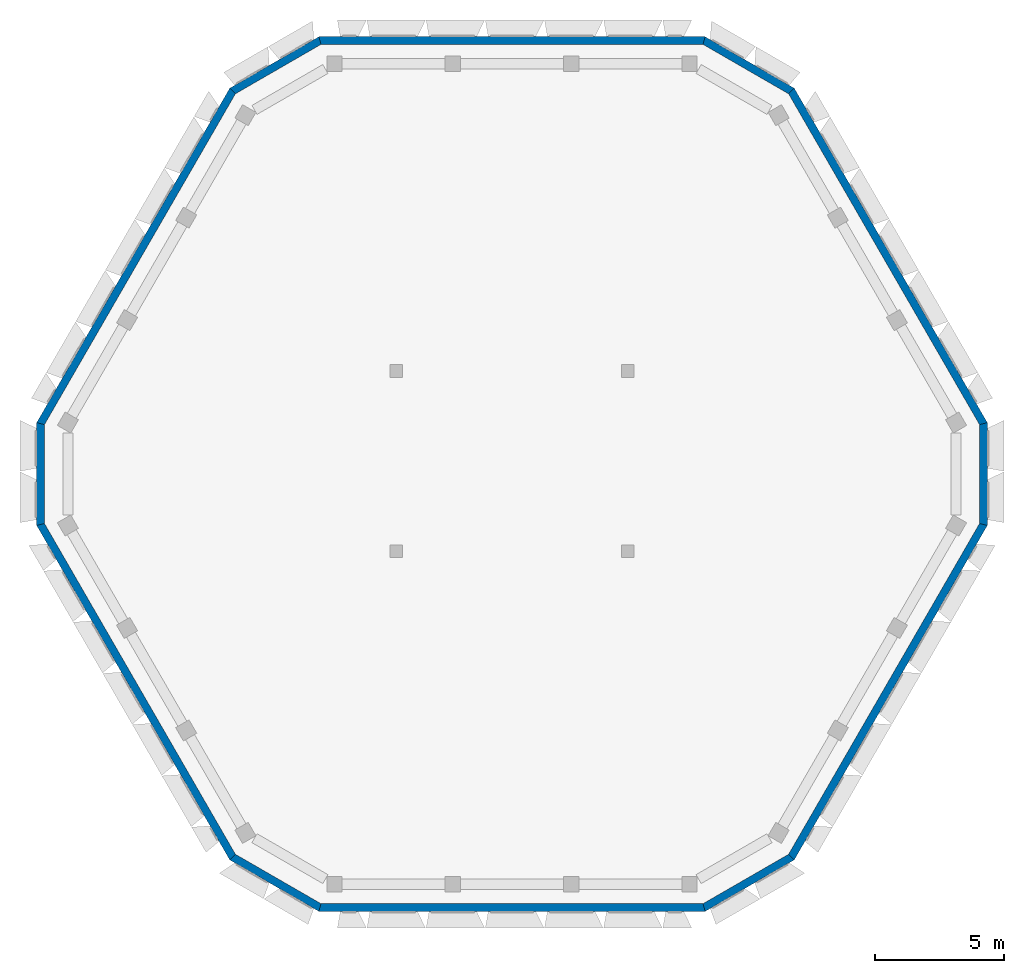
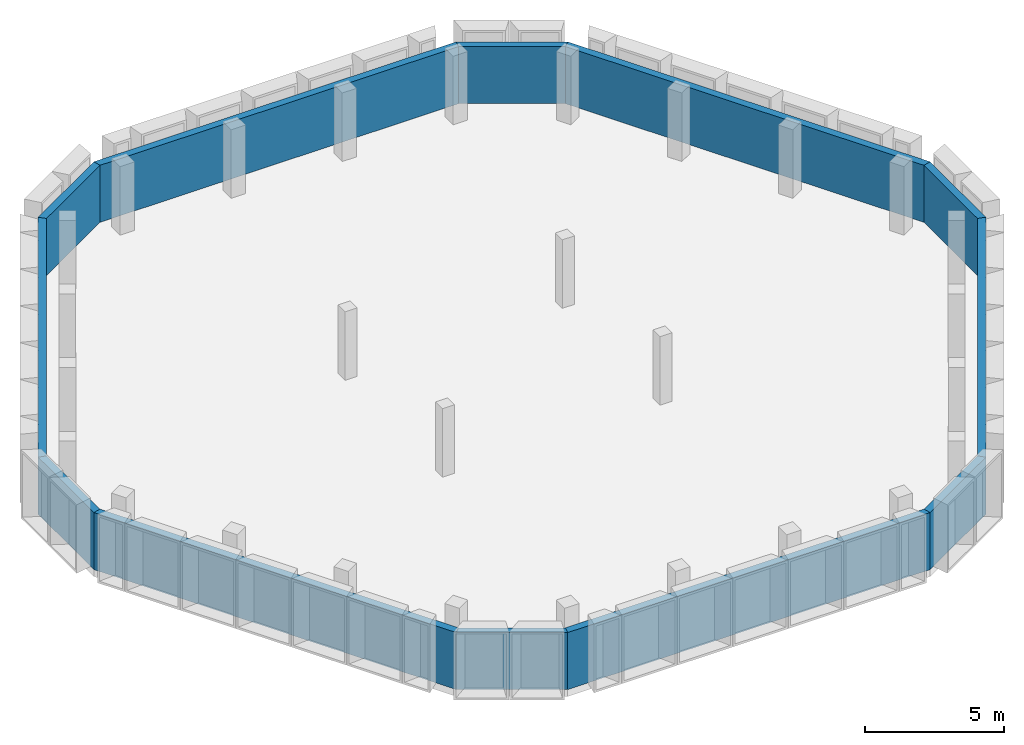
# One storey, part 2 of 3: 12 walls.
"""IFC4 building model written with IfcOpenShell, lengths in metres."""

from ifc_helpers import new_model, si_unit, direction, frame, origin, place, context, subcontext, project, spatial, polyline, outline, extrude, material, layer, layer_set, type_object, element, save


model = new_model("IFC4")

# Units and contexts
model_context = context("Model", 3, precision=1e-05, world=origin(), true_north=direction((0.0, 1.0)))
body_context = subcontext(model_context, "Body", "Model", "MODEL_VIEW")
ifc_project = project(units=[si_unit("LENGTHUNIT", "METRE"), si_unit("AREAUNIT", "SQUARE_METRE"), si_unit("VOLUMEUNIT", "CUBIC_METRE"), si_unit("PLANEANGLEUNIT", "RADIAN"), si_unit("MASSUNIT", "GRAM", prefix="KILO")], contexts=[model_context])

# Site, building, storey
site_placement = place(None, origin())
site = spatial("IfcSite", under=ifc_project, at=site_placement, CompositionType="ELEMENT")
building_placement = place(site_placement, origin())
building = spatial("IfcBuilding", under=site, at=building_placement, Name="Beryl Residences", CompositionType="ELEMENT")
storey_placement = place(building_placement, frame((0.0, 0.0, 247.800048828125)))
storey = spatial("IfcBuildingStorey", under=building, at=storey_placement, Name="L77", CompositionType="ELEMENT", Elevation=247.800048828125)

# Walls
ifc_material = material(Name="Composite metal panel with mineral wool insulation")
ifc_layer = layer(ifc_material, 0.300048828125)
ifc_layer_set = layer_set([ifc_layer], Name="ES1 pale metal composite panel wall 300 mm")
wall_type = type_object("IfcWallType", Name="ES1 pale metal composite panel wall 300 mm", PredefinedType="SOLIDWALL", material=ifc_layer_set)
wall_1_placement = place(storey_placement, frame((7.506103515625, 16.85009765625, 0.0), z_axis=(0.0, 0.0, 1.0), x_axis=(-1.0, 0.0, 0.0)))
element("IfcWall", 1, at=wall_1_placement, inside=storey, type_object=wall_type, Name="ES1 external wall L77 N", PredefinedType="SOLIDWALL", context=body_context, shape_type="SweptSolid", body=[
    extrude(outline(polyline([(0.0, -0.14990234375), (15.01220703125, -0.14990234375), (14.931884765625, 0.14990234375), (0.080322265625, 0.14990234375), (0.0, -0.14990234375)])), origin(), (0.0, 0.0, 1.0), 2.5),
])
wall_2_placement = place(storey_placement, frame((-7.430908203125, 16.8701171875, 0.0), z_axis=(0.0, 0.0, 1.0), x_axis=(-0.866026010844, -0.49999894854, 0.0)))
element("IfcWall", 2, at=wall_2_placement, inside=storey, type_object=wall_type, Name="ES1 external wall L77 N-NW", PredefinedType="SOLIDWALL", context=body_context, shape_type="SweptSolid", body=[
    extrude(outline(polyline([(0.0, -0.14990234375), (4.0, -0.14990234375), (3.919677734375, 0.14990234375), (0.080322265625, 0.14990234375), (0.0, -0.14990234375)])), origin(), (0.0, 0.0, 1.0), 2.5),
])
wall_3_placement = place(storey_placement, frame((-10.840087890625, 14.925048828125, 0.0), z_axis=(0.0, 0.0, 1.0), x_axis=(-0.499966489342, -0.866044750308, 0.0)))
element("IfcWall", 3, at=wall_3_placement, inside=storey, type_object=wall_type, Name="ES1 external wall L77 NW", PredefinedType="SOLIDWALL", context=body_context, shape_type="SweptSolid", body=[
    extrude(outline(polyline([(0.0, -0.14990234375), (15.0107421875, -0.14990234375), (14.930419921875, 0.14990234375), (0.080322265625, 0.14990234375), (0.0, -0.14990234375)])), origin(), (0.0, 0.0, 1.0), 2.5),
])
wall_4_placement = place(storey_placement, frame((-18.324951171875, 2.0, 0.0), z_axis=(0.0, 0.0, 1.0), x_axis=(0.0, -1.0, 0.0)))
element("IfcWall", 4, at=wall_4_placement, inside=storey, type_object=wall_type, Name="ES1 external wall L77 NW-SW", PredefinedType="SOLIDWALL", context=body_context, shape_type="SweptSolid", body=[
    extrude(outline(polyline([(0.0, -0.14990234375), (4.0, -0.14990234375), (3.919677734375, 0.14990234375), (0.080322265625, 0.14990234375), (0.0, -0.14990234375)])), origin(), (0.0, 0.0, 1.0), 2.5),
])
wall_5_placement = place(storey_placement, frame((-18.344970703125, -1.925048828125, 0.0), z_axis=(0.0, 0.0, 1.0), x_axis=(0.499966489342, -0.866044750308, 0.0)))
element("IfcWall", 5, at=wall_5_placement, inside=storey, type_object=wall_type, Name="ES1 external wall L77 SW", PredefinedType="SOLIDWALL", context=body_context, shape_type="SweptSolid", body=[
    extrude(outline(polyline([(0.0, -0.14990234375), (15.0107421875, -0.14990234375), (14.930419921875, 0.14990234375), (0.080322265625, 0.14990234375), (0.0, -0.14990234375)])), origin(), (0.0, 0.0, 1.0), 2.5),
])
wall_6_placement = place(storey_placement, frame((-10.89501953125, -14.8701171875, 0.0), z_axis=(0.0, 0.0, 1.0), x_axis=(0.866026010844, -0.49999894854, 0.0)))
element("IfcWall", 6, at=wall_6_placement, inside=storey, type_object=wall_type, Name="ES1 external wall L77 SW-S", PredefinedType="SOLIDWALL", context=body_context, shape_type="SweptSolid", body=[
    extrude(outline(polyline([(0.0, -0.14990234375), (4.0, -0.14990234375), (3.919677734375, 0.14990234375), (0.080322265625, 0.14990234375), (0.0, -0.14990234375)])), origin(), (0.0, 0.0, 1.0), 2.5),
])
wall_7_placement = place(storey_placement, frame((-7.506103515625, -16.85009765625, 0.0), z_axis=(0.0, 0.0, 1.0), x_axis=(1.0, 0.0, 0.0)))
element("IfcWall", 7, at=wall_7_placement, inside=storey, type_object=wall_type, Name="ES1 external wall L77 S", PredefinedType="SOLIDWALL", context=body_context, shape_type="SweptSolid", body=[
    extrude(outline(polyline([(0.0, -0.14990234375), (15.01220703125, -0.14990234375), (14.931884765625, 0.14990234375), (0.080322265625, 0.14990234375), (0.0, -0.14990234375)])), origin(), (0.0, 0.0, 1.0), 2.5),
])
wall_8_placement = place(storey_placement, frame((7.430908203125, -16.8701171875, 0.0), z_axis=(0.0, 0.0, 1.0), x_axis=(0.866026010844, 0.49999894854, 0.0)))
element("IfcWall", 8, at=wall_8_placement, inside=storey, type_object=wall_type, Name="ES1 external wall L77 S-SE", PredefinedType="SOLIDWALL", context=body_context, shape_type="SweptSolid", body=[
    extrude(outline(polyline([(0.0, -0.14990234375), (4.0, -0.14990234375), (3.919677734375, 0.14990234375), (0.080322265625, 0.14990234375), (0.0, -0.14990234375)])), origin(), (0.0, 0.0, 1.0), 2.5),
])
wall_9_placement = place(storey_placement, frame((10.840087890625, -14.925048828125, 0.0), z_axis=(0.0, 0.0, 1.0), x_axis=(0.499966489342, 0.866044750308, 0.0)))
element("IfcWall", 9, at=wall_9_placement, inside=storey, type_object=wall_type, Name="ES1 external wall L77 SE", PredefinedType="SOLIDWALL", context=body_context, shape_type="SweptSolid", body=[
    extrude(outline(polyline([(0.0, -0.14990234375), (15.0107421875, -0.14990234375), (14.930419921875, 0.14990234375), (0.080322265625, 0.14990234375), (0.0, -0.14990234375)])), origin(), (0.0, 0.0, 1.0), 2.5),
])
wall_10_placement = place(storey_placement, frame((18.324951171875, -2.0, 0.0), z_axis=(0.0, 0.0, 1.0), x_axis=(0.0, 1.0, 0.0)))
element("IfcWall", 10, at=wall_10_placement, inside=storey, type_object=wall_type, Name="ES1 external wall L77 SE-NE", PredefinedType="SOLIDWALL", context=body_context, shape_type="SweptSolid", body=[
    extrude(outline(polyline([(0.0, -0.14990234375), (4.0, -0.14990234375), (3.919677734375, 0.14990234375), (0.080322265625, 0.14990234375), (0.0, -0.14990234375)])), origin(), (0.0, 0.0, 1.0), 2.5),
])
wall_11_placement = place(storey_placement, frame((18.344970703125, 1.925048828125, 0.0), z_axis=(0.0, 0.0, 1.0), x_axis=(-0.499966489342, 0.866044750308, 0.0)))
element("IfcWall", 11, at=wall_11_placement, inside=storey, type_object=wall_type, Name="ES1 external wall L77 NE", PredefinedType="SOLIDWALL", context=body_context, shape_type="SweptSolid", body=[
    extrude(outline(polyline([(0.0, -0.14990234375), (15.0107421875, -0.14990234375), (14.930419921875, 0.14990234375), (0.080322265625, 0.14990234375), (0.0, -0.14990234375)])), origin(), (0.0, 0.0, 1.0), 2.5),
])
wall_12_placement = place(storey_placement, frame((10.89501953125, 14.8701171875, 0.0), z_axis=(0.0, 0.0, 1.0), x_axis=(-0.866026010844, 0.49999894854, 0.0)))
element("IfcWall", 12, at=wall_12_placement, inside=storey, type_object=wall_type, Name="ES1 external wall L77 NE-N", PredefinedType="SOLIDWALL", context=body_context, shape_type="SweptSolid", body=[
    extrude(outline(polyline([(0.0, -0.14990234375), (4.0, -0.14990234375), (3.919677734375, 0.14990234375), (0.080322265625, 0.14990234375), (0.0, -0.14990234375)])), origin(), (0.0, 0.0, 1.0), 2.5),
])

save(model, "model.ifc")
